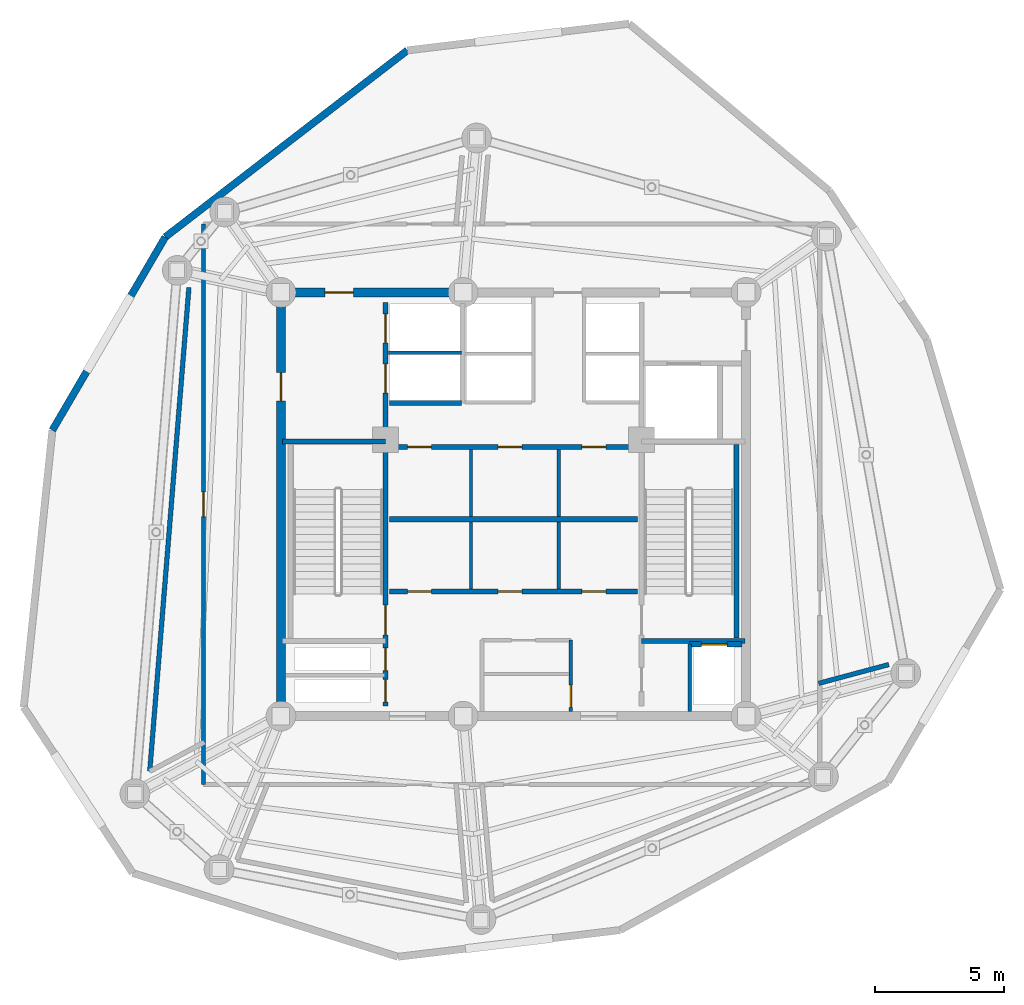
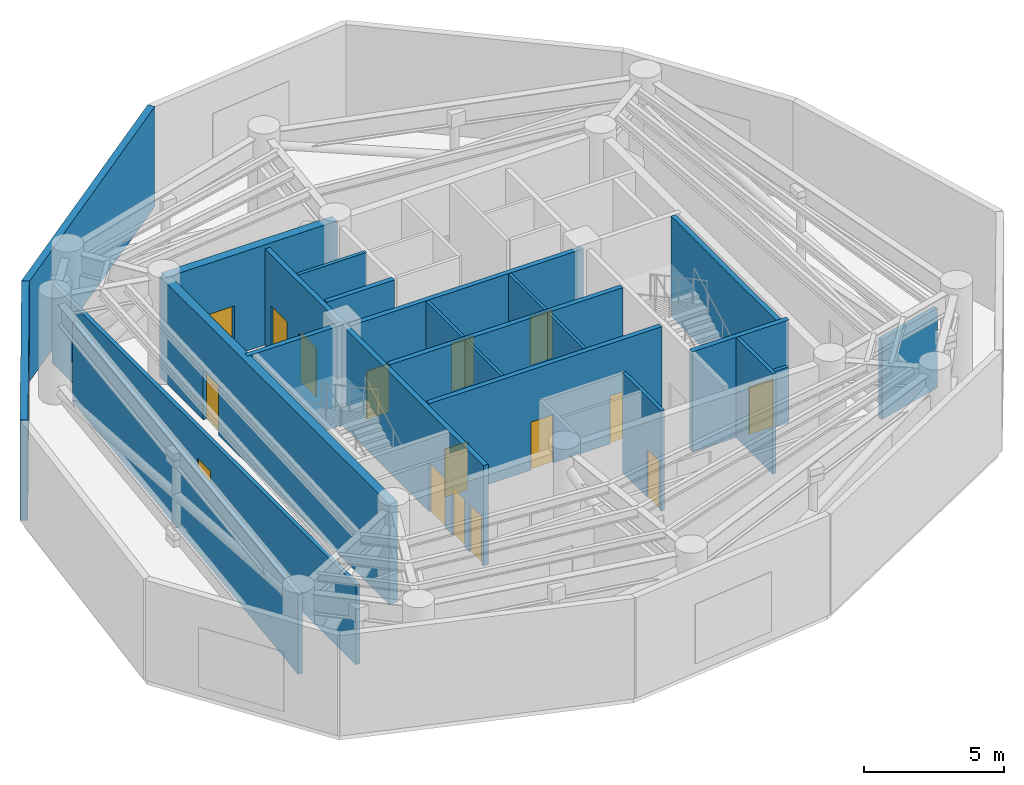
# One storey, part 4 of 8: 23 walls, 16 doors, 16 openings.
"""IFC4 building model written with IfcOpenShell, lengths in metres."""

from ifc_helpers import new_model, si_unit, direction, frame, frame_2d, origin, origin_with_axes, place, context, subcontext, project, spatial, rectangle, extrude, source, transform, mapped, material, layer, layer_set, type_object, element, fill, save


model = new_model("IFC4")

# Units and contexts
model_context = context("Model", 3, precision=1e-05, world=origin(), true_north=direction((0.0, 1.0)))
body_context = subcontext(model_context, "Body", "Model", "MODEL_VIEW")
ifc_project = project(units=[si_unit("LENGTHUNIT", "METRE"), si_unit("AREAUNIT", "SQUARE_METRE"), si_unit("VOLUMEUNIT", "CUBIC_METRE"), si_unit("PLANEANGLEUNIT", "RADIAN"), si_unit("MASSUNIT", "GRAM", prefix="KILO")], contexts=[model_context])

# Site, building, storey
site_placement = place(None, origin())
site = spatial("IfcSite", under=ifc_project, at=site_placement, CompositionType="ELEMENT")
building_placement = place(site_placement, origin())
building = spatial("IfcBuilding", under=site, at=building_placement, Name="Karkom Vertical University and Central Library", CompositionType="ELEMENT")
storey_placement = place(building_placement, frame((0.0, 0.0, 268.75)))
storey = spatial("IfcBuildingStorey", under=building, at=storey_placement, Name="P80", CompositionType="ELEMENT", Elevation=268.75)

# Walls
ifc_material_1 = material(Name="Brick-faced precast concrete C45/55", Category="masonry")
ifc_layer_1 = layer(ifc_material_1, 0.280029296875)
ifc_layer_set_1 = layer_set([ifc_layer_1], Name="Brick-faced precast concrete C45/55")
wall_type_1 = type_object("IfcWallType", Name="ENV-WL-BRK-280", PredefinedType="SOLIDWALL", material=ifc_layer_set_1)
wall_1_placement = place(storey_placement, frame((24.392822265625, 44.071044921875, 0.0), z_axis=(0.0, 0.0, 1.0), x_axis=(-0.79188114586, -0.610675241706, 0.0)))
element("IfcWall", 1, at=wall_1_placement, inside=storey, type_object=wall_type_1, Name="Plant Level 80 Brick-Faced Precast Facade Wall 10", PredefinedType="SOLIDWALL", context=body_context, shape_type="SweptSolid", body=[
    extrude(rectangle(XDim=11.836181640625, YDim=0.280029296875, at=frame_2d((5.91796875, 0.0))), origin(), (0.0, 0.0, 1.0), 4.375),
])
wall_2_placement = place(storey_placement, frame((15.02001953125, 36.843017578125, 0.0), z_axis=(0.0, 0.0, 1.0), x_axis=(-0.504536909081, -0.863390124669, 0.0)))
element("IfcWall", 2, at=wall_2_placement, inside=storey, type_object=wall_type_1, Name="Plant Level 80 Brick-Faced Precast Facade Wall 11", PredefinedType="SOLIDWALL", context=body_context, shape_type="SweptSolid", body=[
    extrude(rectangle(XDim=8.66064453125, YDim=0.280029296875, at=frame_2d((4.330322265625, 0.0))), origin(), (0.0, 0.0, 1.0), 4.375),
])

# Wall, opening, door
ifc_material_2 = material(Name="Insulated metal-stud drywall 160mm", Category="gypsum")
ifc_layer_2 = layer(ifc_material_2, 0.159912109375)
ifc_layer_set_2 = layer_set([ifc_layer_2], Name="Insulated metal-stud drywall 160mm")
wall_type_2 = type_object("IfcWallType", Name="INT-WL-COR-160F", PredefinedType="PARTITIONING", material=ifc_layer_set_2)
wall_3_placement = place(storey_placement, frame((16.5, 15.64990234375, 0.0), z_axis=(0.0, 0.0, 1.0), x_axis=(0.0, 1.0, 0.0)))
wall_3 = element("IfcWall", 3, at=wall_3_placement, inside=storey, type_object=wall_type_2, Name="Plant Level 80 Interior Partition Wall P80-PCORW-CW-002", PredefinedType="PARTITIONING", context=body_context, shape_type="SweptSolid", body=[
    extrude(rectangle(XDim=21.7001953125, YDim=0.159912109375, at=frame_2d((10.85009765625, 0.0))), origin(), (0.0, 0.0, 1.0), 3.47509765625),
])
opening_1_placement = place(wall_3_placement, frame((10.375, 0.0, 0.0)))
opening_1 = element("IfcOpeningElement", 4, at=opening_1_placement, cuts=wall_3, Name="Opening FD-RM1", PredefinedType="OPENING", context=body_context, shape_type="SweptSolid", body=[
    extrude(rectangle(XDim=0.9599609375, YDim=2.14990234375, at=frame_2d((0.47998046875, 1.074951171875))), frame((0.0, 0.08984375, 0.0), z_axis=(0.0, -1.0, 0.0), x_axis=(1.0, 0.0, 0.0)), (0.0, 0.0, 1.0), 0.179931640625),
])
ifc_material_3 = material(Name="Fire-rated oak veneer door", Category="wood")
door_type_1 = type_object("IfcDoorType", Name="INT-DR-FRM1", OperationType="NOTDEFINED", PredefinedType="DOOR", material=ifc_material_3)
shared_shape_1 = source(origin_with_axes(), body_context, "Body", "SweptSolid", [
    extrude(rectangle(XDim=0.9599609375, YDim=2.14990234375, at=frame_2d((0.47998046875, 1.074951171875))), frame((0.0, 0.02490234375, 0.0), z_axis=(0.0, -1.0, 0.0), x_axis=(1.0, 0.0, 0.0)), (0.0, 0.0, 1.0), 0.050048828125),
])
door_1_placement = place(opening_1_placement, origin())
door_1 = element("IfcDoor", 5, at=door_1_placement, inside=storey, type_object=door_type_1, Name="Plant Level 80 Room Entry Door 700", OperationType="SINGLE_SWING_RIGHT", OverallHeight=2.14990234375, OverallWidth=0.9599609375, PredefinedType="DOOR", context=body_context, shape_type="MappedRepresentation", body=[
    mapped(shared_shape_1, transform((0.0, 0.0, 0.0), scale=1.0)),
])
fill(opening_1, door_1)

# Walls
ifc_material_4 = material(Name="Moisture-resistant drywall 120mm", Category="gypsum")
ifc_layer_3 = layer(ifc_material_4, 0.1201171875)
ifc_layer_set_3 = layer_set([ifc_layer_3], Name="Moisture-resistant drywall 120mm")
wall_type_3 = type_object("IfcWallType", Name="INT-WL-INT-120", PredefinedType="PARTITIONING", material=ifc_layer_set_3)
for number, where, z_axis, x_axis, name in (
    (6, (26.85009765625, 23.22705078125, 0.0), (0.0, 0.0, 1.0), (0.0, 1.0, 0.0), "Plant Level 80 Interior Partition Wall P80-CW-B1-K4A"),
    (7, (30.25, 23.22705078125, 0.0), (0.0, 0.0, 1.0), (0.0, 1.0, 0.0), "Plant Level 80 Interior Partition Wall P80-CW-B1-K4B"),
    (8, (26.85009765625, 26.027099609375, 0.0), (0.0, 0.0, 1.0), (0.0, 1.0, 0.0), "Plant Level 80 Interior Partition Wall P80-CW-B2-K4A"),
    (9, (30.25, 26.027099609375, 0.0), (0.0, 0.0, 1.0), (0.0, 1.0, 0.0), "Plant Level 80 Interior Partition Wall P80-CW-B2-K4B"),
):
    element("IfcWall", number, at=place(storey_placement, frame(where, z_axis=z_axis, x_axis=x_axis)), inside=storey, type_object=wall_type_3, Name=name, PredefinedType="PARTITIONING", context=body_context, shape_type="SweptSolid", body=[
        extrude(rectangle(XDim=2.586669921875, YDim=0.1201171875, at=frame_2d((1.29345703125, 0.0))), origin(), (0.0, 0.0, 1.0), 4.375),
    ])

# Wall, opening, door
ifc_material_5 = material(Name="Metal-stud gypsum partition 140mm", Category="gypsum")
ifc_layer_4 = layer(ifc_material_5, 0.139892578125)
ifc_layer_set_4 = layer_set([ifc_layer_4], Name="Metal-stud gypsum partition 140mm")
wall_type_4 = type_object("IfcWallType", Name="INT-WL-SUB-140", PredefinedType="PARTITIONING", material=ifc_layer_set_4)
wall_4_placement = place(storey_placement, frame((30.719970703125, 18.48193359375, 0.0), z_axis=(0.0, 0.0, 1.0), x_axis=(0.0, 1.0, 0.0)))
wall_4 = element("IfcWall", 10, at=wall_4_placement, inside=storey, type_object=wall_type_4, Name="Plant Level 80 Interior Partition Wall P80-CW-KBAY-E", PredefinedType="PARTITIONING", context=body_context, shape_type="SweptSolid", body=[
    extrude(rectangle(XDim=2.758056640625, YDim=0.139892578125, at=frame_2d((1.37890625, 0.0))), origin(), (0.0, 0.0, 1.0), 4.375),
])
opening_2_placement = place(wall_4_placement, frame((0.159912109375, 0.0, 0.0)))
opening_2 = element("IfcOpeningElement", 11, at=opening_2_placement, cuts=wall_4, Name="Opening FD-BTH1", PredefinedType="OPENING", context=body_context, shape_type="SweptSolid", body=[
    extrude(rectangle(XDim=0.860107421875, YDim=2.10009765625, at=frame_2d((0.43017578125, 1.050048828125))), frame((0.0, 0.080078125, 0.0), z_axis=(0.0, -1.0, 0.0), x_axis=(1.0, 0.0, 0.0)), (0.0, 0.0, 1.0), 0.159912109375),
])
ifc_material_6 = material(Name="Fire-rated moisture-resistant oak door", Category="wood")
door_type_2 = type_object("IfcDoorType", Name="INT-DR-FBTH1", OperationType="NOTDEFINED", PredefinedType="DOOR", material=ifc_material_6)
shared_shape_2 = source(origin_with_axes(), body_context, "Body", "SweptSolid", [
    extrude(rectangle(XDim=0.860107421875, YDim=2.10009765625, at=frame_2d((0.43017578125, 1.050048828125))), frame((0.0, 0.02490234375, 0.0), z_axis=(0.0, -1.0, 0.0), x_axis=(1.0, 0.0, 0.0)), (0.0, 0.0, 1.0), 0.050048828125),
])
door_2_placement = place(opening_2_placement, origin())
door_2 = element("IfcDoor", 12, at=door_2_placement, inside=storey, type_object=door_type_2, Name="Plant Level 80 Metering Cupboard Door", OperationType="SINGLE_SWING_LEFT", OverallHeight=2.10009765625, OverallWidth=0.860107421875, PredefinedType="DOOR", context=body_context, shape_type="MappedRepresentation", body=[
    mapped(shared_shape_2, transform((0.0, 0.0, 0.0), scale=1.0)),
])
fill(opening_2, door_2)

# Walls
ifc_layer_5 = layer(ifc_material_5, 0.139892578125)
ifc_layer_set_5 = layer_set([ifc_layer_5], Name="Metal-stud gypsum partition 140mm")
wall_type_5 = type_object("IfcWallType", Name="INT-WL-SUB-140H", PredefinedType="PARTITIONING", material=ifc_layer_set_5)
wall_5_placement = place(storey_placement, frame((35.320068359375, 18.48193359375, 0.0), z_axis=(0.0, 0.0, 1.0), x_axis=(0.0, 1.0, 0.0)))
element("IfcWall", 13, at=wall_5_placement, inside=storey, type_object=wall_type_5, Name="Plant Level 80 Interior Partition Wall P80-CW-RIS-E", PredefinedType="PARTITIONING", context=body_context, shape_type="SweptSolid", body=[
    extrude(rectangle(XDim=2.617431640625, YDim=0.139892578125, at=frame_2d((1.30859375, 0.0))), origin(), (0.0, 0.0, 1.0), 4.375),
])
ifc_layer_6 = layer(ifc_material_5, 0.139892578125)
ifc_layer_set_6 = layer_set([ifc_layer_6], Name="Metal-stud gypsum partition 140mm")
wall_type_6 = type_object("IfcWallType", Name="INT-WL-SUB-140X", PredefinedType="PARTITIONING", material=ifc_layer_set_6)
wall_6_placement = place(storey_placement, frame((23.652099609375, 32.3701171875, 0.0), z_axis=(0.0, 0.0, 1.0), x_axis=(1.0, 0.0, 0.0)))
element("IfcWall", 14, at=wall_6_placement, inside=storey, type_object=wall_type_6, Name="Plant Level 80 Interior Partition Wall P80-CW-FFL-M", PredefinedType="PARTITIONING", context=body_context, shape_type="SweptSolid", body=[
    extrude(rectangle(XDim=2.827880859375, YDim=0.139892578125, at=frame_2d((1.4140625, 0.0))), origin(), (0.0, 0.0, 1.0), 4.375),
])
ifc_material_7 = material(Name="Twin-stud acoustic drywall 180mm", Category="gypsum")
ifc_layer_7 = layer(ifc_material_7, 0.179931640625)
ifc_layer_set_7 = layer_set([ifc_layer_7], Name="Twin-stud acoustic drywall 180mm")
wall_type_7 = type_object("IfcWallType", Name="INT-WL-TEN-180F", PredefinedType="PARTITIONING", material=ifc_layer_set_7)
wall_7_placement = place(storey_placement, frame((14.421142578125, 16.16552734375, 0.0), z_axis=(0.0, 0.0, 1.0), x_axis=(0.080748179949, 0.996734534084, 0.0)))
element("IfcWall", 15, at=wall_7_placement, inside=storey, type_object=wall_type_7, Name="Plant Level 80 Interior Partition Wall P80-PLCHW-002", PredefinedType="PARTITIONING", context=body_context, shape_type="SweptSolid", body=[
    extrude(rectangle(XDim=18.787841796875, YDim=0.179931640625, at=frame_2d((9.39404296875, 0.0))), origin(), (0.0, 0.0, 1.0), 3.47509765625),
])
wall_8_placement = place(storey_placement, frame((43.02197265625, 20.296875, 0.0), z_axis=(0.0, 0.0, 1.0), x_axis=(-0.965934485278, -0.258786727153, 0.0)))
element("IfcWall", 16, at=wall_8_placement, inside=storey, type_object=wall_type_7, Name="Plant Level 80 Interior Partition Wall P80-PLCHW-008", PredefinedType="PARTITIONING", context=body_context, shape_type="SweptSolid", body=[
    extrude(rectangle(XDim=2.811279296875, YDim=0.179931640625, at=frame_2d((1.40576171875, 0.0))), origin(), (0.0, 0.0, 1.0), 3.47509765625),
])

# Wall, opening, door
ifc_material_8 = material(Name="Concrete C45/55", Category="concrete")
ifc_layer_8 = layer(ifc_material_8, 0.219970703125)
ifc_layer_set_8 = layer_set([ifc_layer_8], Name="Concrete C45/55")
wall_type_8 = type_object("IfcWallType", Name="STR-WL-CW-220", PredefinedType="SHEAR", material=ifc_layer_set_8)
wall_9_placement = place(storey_placement, frame((35.320068359375, 21.080078125, 0.0), z_axis=(0.0, 0.0, 1.0), x_axis=(1.0, 0.0, 0.0)))
wall_9 = element("IfcWall", 17, at=wall_9_placement, inside=storey, type_object=wall_type_8, Name="Plant Level 80 Duct Riser Access Wall 4", PredefinedType="SHEAR", context=body_context, shape_type="SweptSolid", body=[
    extrude(rectangle(XDim=2.030029296875, YDim=0.219970703125, at=frame_2d((1.01513671875, 0.0))), origin(), (0.0, 0.0, 1.0), 2.449951171875),
])
opening_3_placement = place(wall_9_placement, frame((0.449951171875, 0.0, 0.0)))
opening_3 = element("IfcOpeningElement", 18, at=opening_3_placement, cuts=wall_9, Name="Opening HD-1", PredefinedType="OPENING", context=body_context, shape_type="SweptSolid", body=[
    extrude(rectangle(XDim=1.0, YDim=2.050048828125, at=frame_2d((0.5, 1.02490234375))), frame((0.0, 0.1201171875, 0.0), z_axis=(0.0, -1.0, 0.0), x_axis=(1.0, 0.0, 0.0)), (0.0, 0.0, 1.0), 0.239990234375),
])
ifc_material_9 = material(Name="Insulated aluminium riser access door", Category="aluminium")
door_type_3 = type_object("IfcDoorType", Name="ENV-DR-HTCH", OperationType="SINGLE_SWING_LEFT", PredefinedType="TRAPDOOR", material=ifc_material_9)
shared_shape_3 = source(origin_with_axes(), body_context, "Body", "SweptSolid", [
    extrude(rectangle(XDim=1.0, YDim=2.050048828125, at=frame_2d((0.5, 1.02490234375))), frame((0.0, 0.02490234375, 0.0), z_axis=(0.0, -1.0, 0.0), x_axis=(1.0, 0.0, 0.0)), (0.0, 0.0, 1.0), 0.050048828125),
])
door_3_placement = place(opening_3_placement, origin())
door_3 = element("IfcDoor", 19, at=door_3_placement, inside=storey, type_object=door_type_3, Name="Plant Level 80 Maintenance Riser Access Hatch Door 4", OperationType="SINGLE_SWING_RIGHT", OverallHeight=2.050048828125, OverallWidth=1.0, PredefinedType="TRAPDOOR", context=body_context, shape_type="MappedRepresentation", body=[
    mapped(shared_shape_3, transform((0.0, 0.0, 0.0), scale=1.0)),
])
fill(opening_3, door_3)

ifc_layer_9 = layer(ifc_material_8, 0.35009765625)
ifc_layer_set_9 = layer_set([ifc_layer_9], Name="Concrete C45/55")
wall_type_9 = type_object("IfcWallType", Name="STR-WL-CW-350", PredefinedType="SHEAR", material=ifc_layer_set_9)
wall_10_placement = place(storey_placement, frame((26.550048828125, 34.699951171875, 0.0), z_axis=(0.0, 0.0, 1.0), x_axis=(-1.0, 0.0, 0.0)))
wall_10 = element("IfcWall", 20, at=wall_10_placement, inside=storey, type_object=wall_type_9, Name="Plant Level 80 Central Core Shear Wall NW2", PredefinedType="SHEAR", context=body_context, shape_type="SweptSolid", body=[
    extrude(rectangle(XDim=7.050048828125, YDim=0.35009765625, at=frame_2d((3.52490234375, 0.0))), origin(), (0.0, 0.0, 1.0), 4.375),
])
opening_4_placement = place(wall_10_placement, frame((4.25, 0.0, 0.0)))
opening_4 = element("IfcOpeningElement", 21, at=opening_4_placement, cuts=wall_10, Name="Opening FD-FFL", PredefinedType="OPENING", context=body_context, shape_type="SweptSolid", body=[
    extrude(rectangle(XDim=1.10009765625, YDim=2.14990234375, at=frame_2d((0.550048828125, 1.074951171875))), frame((0.0, 0.18505859375, 0.0), z_axis=(0.0, -1.0, 0.0), x_axis=(1.0, 0.0, 0.0)), (0.0, 0.0, 1.0), 0.3701171875),
])
ifc_material_10 = material(Name="Painted steel smoke-seal fire door", Category="steel")
door_type_4 = type_object("IfcDoorType", Name="INT-DR-FFL", OperationType="NOTDEFINED", PredefinedType="DOOR", material=ifc_material_10)
shared_shape_4 = source(origin_with_axes(), body_context, "Body", "SweptSolid", [
    extrude(rectangle(XDim=1.10009765625, YDim=2.14990234375, at=frame_2d((0.550048828125, 1.074951171875))), frame((0.0, 0.02490234375, 0.0), z_axis=(0.0, -1.0, 0.0), x_axis=(1.0, 0.0, 0.0)), (0.0, 0.0, 1.0), 0.050048828125),
])
door_4_placement = place(opening_4_placement, origin())
door_4 = element("IfcDoor", 22, at=door_4_placement, inside=storey, type_object=door_type_4, Name="Plant Level 80 Firefighting Lobby Door", OperationType="SINGLE_SWING_RIGHT", OverallHeight=2.14990234375, OverallWidth=1.10009765625, PredefinedType="DOOR", context=body_context, shape_type="MappedRepresentation", body=[
    mapped(shared_shape_4, transform((0.0, 0.0, 0.0), scale=1.0)),
])
fill(opening_4, door_4)

wall_11_placement = place(storey_placement, frame((19.5, 34.699951171875, 0.0), z_axis=(0.0, 0.0, 1.0), x_axis=(0.0, -1.0, 0.0)))
wall_11 = element("IfcWall", 23, at=wall_11_placement, inside=storey, type_object=wall_type_9, Name="Plant Level 80 Central Core Shear Wall WW", PredefinedType="SHEAR", context=body_context, shape_type="SweptSolid", body=[
    extrude(rectangle(XDim=16.39990234375, YDim=0.35009765625, at=frame_2d((8.199951171875, 0.0))), origin(), (0.0, 0.0, 1.0), 4.375),
])
opening_5_placement = place(wall_11_placement, frame((3.10009765625, 0.0, 0.0)))
opening_5 = element("IfcOpeningElement", 24, at=opening_5_placement, cuts=wall_11, Name="Opening FD-FFL", PredefinedType="OPENING", context=body_context, shape_type="SweptSolid", body=[
    extrude(rectangle(XDim=1.10009765625, YDim=2.14990234375, at=frame_2d((0.550048828125, 1.074951171875))), frame((0.0, 0.18505859375, 0.0), z_axis=(0.0, -1.0, 0.0), x_axis=(1.0, 0.0, 0.0)), (0.0, 0.0, 1.0), 0.3701171875),
])
door_5_placement = place(opening_5_placement, origin())
door_5 = element("IfcDoor", 25, at=door_5_placement, inside=storey, type_object=door_type_4, Name="Plant Level 80 West Corridor Firefighting Lobby Door", OperationType="SINGLE_SWING_LEFT", OverallHeight=2.14990234375, OverallWidth=1.10009765625, PredefinedType="DOOR", context=body_context, shape_type="MappedRepresentation", body=[
    mapped(shared_shape_4, transform((0.0, 0.0, 0.0), scale=1.0)),
])
fill(opening_5, door_5)

# Wall, openings, doors
ifc_layer_10 = layer(ifc_material_8, 0.199951171875)
ifc_layer_set_10 = layer_set([ifc_layer_10], Name="Concrete C45/55")
wall_type_10 = type_object("IfcWallType", Name="STR-WL-ST-200", PredefinedType="SHEAR", material=ifc_layer_set_10)
wall_12_placement = place(storey_placement, frame((23.544921875, 18.699951171875, 0.0), z_axis=(0.0, 0.0, 1.0), x_axis=(0.0, 1.0, 0.0)))
wall_12 = element("IfcWall", 26, at=wall_12_placement, inside=storey, type_object=wall_type_10, Name="Plant Level 80 Core Shaft Wall P80-CW-ST1-E", PredefinedType="SHEAR", context=body_context, shape_type="SweptSolid", body=[
    extrude(rectangle(XDim=15.60009765625, YDim=0.199951171875, at=frame_2d((7.800048828125, 0.0))), origin(), (0.0, 0.0, 1.0), 4.375),
])
opening_6_placement = place(wall_12_placement, frame((2.75, 0.0, 0.0)))
opening_6 = element("IfcOpeningElement", 27, at=opening_6_placement, cuts=wall_12, Name="Opening FD-ST1", PredefinedType="OPENING", context=body_context, shape_type="SweptSolid", body=[
    extrude(rectangle(XDim=1.14990234375, YDim=2.14990234375, at=frame_2d((0.574951171875, 1.074951171875))), frame((0.0, 0.10986328125, 0.0), z_axis=(0.0, -1.0, 0.0), x_axis=(1.0, 0.0, 0.0)), (0.0, 0.0, 1.0), 0.219970703125),
])
opening_7_placement = place(wall_12_placement, frame((0.139892578125, 0.0, 0.0)))
opening_7 = element("IfcOpeningElement", 28, at=opening_7_placement, cuts=wall_12, Name="Opening FD-RIS", PredefinedType="OPENING", context=body_context, shape_type="SweptSolid", body=[
    extrude(rectangle(XDim=0.8798828125, YDim=2.10009765625, at=frame_2d((0.43994140625, 1.050048828125))), frame((0.0, 0.10986328125, 0.0), z_axis=(0.0, -1.0, 0.0), x_axis=(1.0, 0.0, 0.0)), (0.0, 0.0, 1.0), 0.219970703125),
])
opening_8_placement = place(wall_12_placement, frame((1.360107421875, 0.0, 0.0)))
opening_8 = element("IfcOpeningElement", 29, at=opening_8_placement, cuts=wall_12, Name="Opening FD-RIS", PredefinedType="OPENING", context=body_context, shape_type="SweptSolid", body=[
    extrude(rectangle(XDim=0.8798828125, YDim=2.10009765625, at=frame_2d((0.43994140625, 1.050048828125))), frame((0.0, 0.10986328125, 0.0), z_axis=(0.0, -1.0, 0.0), x_axis=(1.0, 0.0, 0.0)), (0.0, 0.0, 1.0), 0.219970703125),
])
opening_9_placement = place(wall_12_placement, frame((12.10009765625, 0.0, 0.0)))
opening_9 = element("IfcOpeningElement", 30, at=opening_9_placement, cuts=wall_12, Name="Opening LD-FFL", PredefinedType="OPENING", context=body_context, shape_type="SweptSolid", body=[
    extrude(rectangle(XDim=1.1201171875, YDim=2.14990234375, at=frame_2d((0.56005859375, 1.074951171875))), frame((0.0, 0.10986328125, 0.0), z_axis=(0.0, -1.0, 0.0), x_axis=(1.0, 0.0, 0.0)), (0.0, 0.0, 1.0), 0.219970703125),
])
opening_10_placement = place(wall_12_placement, frame((14.050048828125, 0.0, 0.0)))
opening_10 = element("IfcOpeningElement", 31, at=opening_10_placement, cuts=wall_12, Name="Opening LD-FFL", PredefinedType="OPENING", context=body_context, shape_type="SweptSolid", body=[
    extrude(rectangle(XDim=1.1201171875, YDim=2.14990234375, at=frame_2d((0.56005859375, 1.074951171875))), frame((0.0, 0.10986328125, 0.0), z_axis=(0.0, -1.0, 0.0), x_axis=(1.0, 0.0, 0.0)), (0.0, 0.0, 1.0), 0.219970703125),
])
ifc_material_11 = material(Name="Painted steel acoustic fire door", Category="steel")
door_type_5 = type_object("IfcDoorType", Name="INT-DR-ST1", OperationType="NOTDEFINED", PredefinedType="DOOR", material=ifc_material_11)
shared_shape_5 = source(origin_with_axes(), body_context, "Body", "SweptSolid", [
    extrude(rectangle(XDim=1.14990234375, YDim=2.14990234375, at=frame_2d((0.574951171875, 1.074951171875))), frame((0.0, 0.02490234375, 0.0), z_axis=(0.0, -1.0, 0.0), x_axis=(1.0, 0.0, 0.0)), (0.0, 0.0, 1.0), 0.050048828125),
])
door_6_placement = place(opening_6_placement, origin())
door_6 = element("IfcDoor", 32, at=door_6_placement, inside=storey, type_object=door_type_5, Name="Plant Level 80 Stair ST-1 Fire Door", OperationType="SINGLE_SWING_RIGHT", OverallHeight=2.14990234375, OverallWidth=1.14990234375, PredefinedType="DOOR", context=body_context, shape_type="MappedRepresentation", body=[
    mapped(shared_shape_5, transform((0.0, 0.0, 0.0), scale=1.0)),
])
fill(opening_6, door_6)
ifc_material_12 = material(Name="Painted steel riser access door", Category="steel")
door_type_6 = type_object("IfcDoorType", Name="INT-DR-RIS", OperationType="NOTDEFINED", PredefinedType="DOOR", material=ifc_material_12)
shared_shape_6 = source(origin_with_axes(), body_context, "Body", "SweptSolid", [
    extrude(rectangle(XDim=0.8798828125, YDim=2.10009765625, at=frame_2d((0.43994140625, 1.050048828125))), frame((0.0, 0.02490234375, 0.0), z_axis=(0.0, -1.0, 0.0), x_axis=(1.0, 0.0, 0.0)), (0.0, 0.0, 1.0), 0.050048828125),
])
door_7_placement = place(opening_7_placement, origin())
door_7 = element("IfcDoor", 33, at=door_7_placement, inside=storey, type_object=door_type_6, Name="Plant Level 80 Electrical Riser Access Door", OperationType="SINGLE_SWING_RIGHT", OverallHeight=2.10009765625, OverallWidth=0.8798828125, PredefinedType="DOOR", context=body_context, shape_type="MappedRepresentation", body=[
    mapped(shared_shape_6, transform((0.0, 0.0, 0.0), scale=1.0)),
])
fill(opening_7, door_7)
door_8_placement = place(opening_8_placement, origin())
door_8 = element("IfcDoor", 34, at=door_8_placement, inside=storey, type_object=door_type_6, Name="Plant Level 80 Telecom Riser Access Door", OperationType="SINGLE_SWING_LEFT", OverallHeight=2.10009765625, OverallWidth=0.8798828125, PredefinedType="DOOR", context=body_context, shape_type="MappedRepresentation", body=[
    mapped(shared_shape_6, transform((0.0, 0.0, 0.0), scale=1.0)),
])
fill(opening_8, door_8)
ifc_material_13 = material(Name="Fire-rated stainless-steel landing door", Category="steel")
door_type_7 = type_object("IfcDoorType", Name="INT-DR-LD-FFL", OperationType="SLIDING_TO_LEFT", PredefinedType="DOOR", material=ifc_material_13)
shared_shape_7 = source(origin_with_axes(), body_context, "Body", "SweptSolid", [
    extrude(rectangle(XDim=1.1201171875, YDim=2.14990234375, at=frame_2d((0.56005859375, 1.074951171875))), frame((0.0, 0.02490234375, 0.0), z_axis=(0.0, -1.0, 0.0), x_axis=(1.0, 0.0, 0.0)), (0.0, 0.0, 1.0), 0.050048828125),
])
door_9_placement = place(opening_9_placement, origin())
door_9 = element("IfcDoor", 35, at=door_9_placement, inside=storey, type_object=door_type_7, Name="Plant Level 80 Firefighting Lift FFL-1 Landing Door", OperationType="SLIDING_TO_LEFT", OverallHeight=2.14990234375, OverallWidth=1.1201171875, PredefinedType="DOOR", context=body_context, shape_type="MappedRepresentation", body=[
    mapped(shared_shape_7, transform((0.0, 0.0, 0.0), scale=1.0)),
])
fill(opening_9, door_9)
door_10_placement = place(opening_10_placement, origin())
door_10 = element("IfcDoor", 36, at=door_10_placement, inside=storey, type_object=door_type_7, Name="Plant Level 80 Firefighting Lift FFL-2 Landing Door", OperationType="SLIDING_TO_RIGHT", OverallHeight=2.14990234375, OverallWidth=1.1201171875, PredefinedType="DOOR", context=body_context, shape_type="MappedRepresentation", body=[
    mapped(shared_shape_7, transform((0.0, 0.0, 0.0), scale=1.0)),
])
fill(opening_10, door_10)

wall_13_placement = place(storey_placement, frame((23.699951171875, 23.1201171875, 0.0), z_axis=(0.0, 0.0, 1.0), x_axis=(1.0, 0.0, 0.0)))
wall_13 = element("IfcWall", 37, at=wall_13_placement, inside=storey, type_object=wall_type_10, Name="Plant Level 80 Core Shaft Wall P80-CW-B1-S", PredefinedType="SHEAR", context=body_context, shape_type="SweptSolid", body=[
    extrude(rectangle(XDim=9.60009765625, YDim=0.199951171875, at=frame_2d((4.800048828125, 0.0))), origin(), (0.0, 0.0, 1.0), 4.375),
])
opening_11_placement = place(wall_13_placement, frame((0.699951171875, 0.0, 0.0)))
opening_11 = element("IfcOpeningElement", 38, at=opening_11_placement, cuts=wall_13, Name="Opening D-SVC1", PredefinedType="OPENING", context=body_context, shape_type="SweptSolid", body=[
    extrude(rectangle(XDim=0.919921875, YDim=2.10009765625, at=frame_2d((0.4599609375, 1.050048828125))), frame((0.0, 0.10986328125, 0.0), z_axis=(0.0, -1.0, 0.0), x_axis=(1.0, 0.0, 0.0)), (0.0, 0.0, 1.0), 0.219970703125),
])
opening_12_placement = place(wall_13_placement, frame((4.199951171875, 0.0, 0.0)))
opening_12 = element("IfcOpeningElement", 39, at=opening_12_placement, cuts=wall_13, Name="Opening D-SVC1", PredefinedType="OPENING", context=body_context, shape_type="SweptSolid", body=[
    extrude(rectangle(XDim=0.919921875, YDim=2.10009765625, at=frame_2d((0.4599609375, 1.050048828125))), frame((0.0, 0.10986328125, 0.0), z_axis=(0.0, -1.0, 0.0), x_axis=(1.0, 0.0, 0.0)), (0.0, 0.0, 1.0), 0.219970703125),
])
opening_13_placement = place(wall_13_placement, frame((7.449951171875, 0.0, 0.0)))
opening_13 = element("IfcOpeningElement", 40, at=opening_13_placement, cuts=wall_13, Name="Opening D-SVC1", PredefinedType="OPENING", context=body_context, shape_type="SweptSolid", body=[
    extrude(rectangle(XDim=0.919921875, YDim=2.10009765625, at=frame_2d((0.4599609375, 1.050048828125))), frame((0.0, 0.10986328125, 0.0), z_axis=(0.0, -1.0, 0.0), x_axis=(1.0, 0.0, 0.0)), (0.0, 0.0, 1.0), 0.219970703125),
])
ifc_material_14 = material(Name="Painted timber service door", Category="wood")
door_type_8 = type_object("IfcDoorType", Name="INT-DR-SVC1", OperationType="NOTDEFINED", PredefinedType="DOOR", material=ifc_material_14)
shared_shape_8 = source(origin_with_axes(), body_context, "Body", "SweptSolid", [
    extrude(rectangle(XDim=0.919921875, YDim=2.10009765625, at=frame_2d((0.4599609375, 1.050048828125))), frame((0.0, 0.02490234375, 0.0), z_axis=(0.0, -1.0, 0.0), x_axis=(1.0, 0.0, 0.0)), (0.0, 0.0, 1.0), 0.050048828125),
])
door_11_placement = place(opening_11_placement, origin())
door_11 = element("IfcDoor", 41, at=door_11_placement, inside=storey, type_object=door_type_8, Name="Plant Level 80 B1 Store A Door", OperationType="SINGLE_SWING_LEFT", OverallHeight=2.10009765625, OverallWidth=0.919921875, PredefinedType="DOOR", context=body_context, shape_type="MappedRepresentation", body=[
    mapped(shared_shape_8, transform((0.0, 0.0, 0.0), scale=1.0)),
])
fill(opening_11, door_11)
door_12_placement = place(opening_12_placement, origin())
door_12 = element("IfcDoor", 42, at=door_12_placement, inside=storey, type_object=door_type_8, Name="Plant Level 80 B1 Comms Door", OperationType="SINGLE_SWING_RIGHT", OverallHeight=2.10009765625, OverallWidth=0.919921875, PredefinedType="DOOR", context=body_context, shape_type="MappedRepresentation", body=[
    mapped(shared_shape_8, transform((0.0, 0.0, 0.0), scale=1.0)),
])
fill(opening_12, door_12)
door_13_placement = place(opening_13_placement, origin())
door_13 = element("IfcDoor", 43, at=door_13_placement, inside=storey, type_object=door_type_8, Name="Plant Level 80 B1 Store C Door", OperationType="SINGLE_SWING_LEFT", OverallHeight=2.10009765625, OverallWidth=0.919921875, PredefinedType="DOOR", context=body_context, shape_type="MappedRepresentation", body=[
    mapped(shared_shape_8, transform((0.0, 0.0, 0.0), scale=1.0)),
])
fill(opening_13, door_13)

# Wall
wall_14_placement = place(storey_placement, frame((23.699951171875, 25.919921875, 0.0), z_axis=(0.0, 0.0, 1.0), x_axis=(1.0, 0.0, 0.0)))
element("IfcWall", 44, at=wall_14_placement, inside=storey, type_object=wall_type_10, Name="Plant Level 80 Core Shaft Wall P80-CW-B1-N", PredefinedType="SHEAR", context=body_context, shape_type="SweptSolid", body=[
    extrude(rectangle(XDim=9.60009765625, YDim=0.199951171875, at=frame_2d((4.800048828125, 0.0))), origin(), (0.0, 0.0, 1.0), 4.375),
])

# Wall, openings, doors
wall_15_placement = place(storey_placement, frame((23.699951171875, 28.719970703125, 0.0), z_axis=(0.0, 0.0, 1.0), x_axis=(1.0, 0.0, 0.0)))
wall_15 = element("IfcWall", 45, at=wall_15_placement, inside=storey, type_object=wall_type_10, Name="Plant Level 80 Core Shaft Wall P80-CW-B2-N", PredefinedType="SHEAR", context=body_context, shape_type="SweptSolid", body=[
    extrude(rectangle(XDim=9.60009765625, YDim=0.199951171875, at=frame_2d((4.800048828125, 0.0))), origin(), (0.0, 0.0, 1.0), 4.375),
])
opening_14_placement = place(wall_15_placement, frame((0.699951171875, 0.0, 0.0)))
opening_14 = element("IfcOpeningElement", 46, at=opening_14_placement, cuts=wall_15, Name="Opening D-SVC1", PredefinedType="OPENING", context=body_context, shape_type="SweptSolid", body=[
    extrude(rectangle(XDim=0.919921875, YDim=2.10009765625, at=frame_2d((0.4599609375, 1.050048828125))), frame((0.0, 0.10986328125, 0.0), z_axis=(0.0, -1.0, 0.0), x_axis=(1.0, 0.0, 0.0)), (0.0, 0.0, 1.0), 0.219970703125),
])
opening_15_placement = place(wall_15_placement, frame((4.199951171875, 0.0, 0.0)))
opening_15 = element("IfcOpeningElement", 47, at=opening_15_placement, cuts=wall_15, Name="Opening D-SVC1", PredefinedType="OPENING", context=body_context, shape_type="SweptSolid", body=[
    extrude(rectangle(XDim=0.919921875, YDim=2.10009765625, at=frame_2d((0.4599609375, 1.050048828125))), frame((0.0, 0.10986328125, 0.0), z_axis=(0.0, -1.0, 0.0), x_axis=(1.0, 0.0, 0.0)), (0.0, 0.0, 1.0), 0.219970703125),
])
opening_16_placement = place(wall_15_placement, frame((7.449951171875, 0.0, 0.0)))
opening_16 = element("IfcOpeningElement", 48, at=opening_16_placement, cuts=wall_15, Name="Opening D-SVC1", PredefinedType="OPENING", context=body_context, shape_type="SweptSolid", body=[
    extrude(rectangle(XDim=0.919921875, YDim=2.10009765625, at=frame_2d((0.4599609375, 1.050048828125))), frame((0.0, 0.10986328125, 0.0), z_axis=(0.0, -1.0, 0.0), x_axis=(1.0, 0.0, 0.0)), (0.0, 0.0, 1.0), 0.219970703125),
])
door_14_placement = place(opening_14_placement, origin())
door_14 = element("IfcDoor", 49, at=door_14_placement, inside=storey, type_object=door_type_8, Name="Plant Level 80 B2 Store A Door", OperationType="SINGLE_SWING_RIGHT", OverallHeight=2.10009765625, OverallWidth=0.919921875, PredefinedType="DOOR", context=body_context, shape_type="MappedRepresentation", body=[
    mapped(shared_shape_8, transform((0.0, 0.0, 0.0), scale=1.0)),
])
fill(opening_14, door_14)
door_15_placement = place(opening_15_placement, origin())
door_15 = element("IfcDoor", 50, at=door_15_placement, inside=storey, type_object=door_type_8, Name="Plant Level 80 B2 Comms Door", OperationType="SINGLE_SWING_LEFT", OverallHeight=2.10009765625, OverallWidth=0.919921875, PredefinedType="DOOR", context=body_context, shape_type="MappedRepresentation", body=[
    mapped(shared_shape_8, transform((0.0, 0.0, 0.0), scale=1.0)),
])
fill(opening_15, door_15)
door_16_placement = place(opening_16_placement, origin())
door_16 = element("IfcDoor", 51, at=door_16_placement, inside=storey, type_object=door_type_8, Name="Plant Level 80 B2 Store C Door", OperationType="SINGLE_SWING_RIGHT", OverallHeight=2.10009765625, OverallWidth=0.919921875, PredefinedType="DOOR", context=body_context, shape_type="MappedRepresentation", body=[
    mapped(shared_shape_8, transform((0.0, 0.0, 0.0), scale=1.0)),
])
fill(opening_16, door_16)

# Walls
wall_16_placement = place(storey_placement, frame((37.125, 21.320068359375, 0.0), z_axis=(0.0, 0.0, 1.0), x_axis=(0.0, 1.0, 0.0)))
element("IfcWall", 52, at=wall_16_placement, inside=storey, type_object=wall_type_10, Name="Plant Level 80 Core Shaft Wall P80-CW-ST2-E", PredefinedType="SHEAR", context=body_context, shape_type="SweptSolid", body=[
    extrude(rectangle(XDim=7.5, YDim=0.199951171875, at=frame_2d((3.75, 0.0))), origin(), (0.0, 0.0, 1.0), 4.375),
])
for number, where, z_axis, x_axis, name in (
    (53, (33.455078125, 21.215087890625, 0.0), (0.0, 0.0, 1.0), (1.0, 0.0, 0.0), "Plant Level 80 Core Shaft Wall P80-CW-ST2-S"),
    (54, (19.550048828125, 28.925048828125, 0.0), (0.0, 0.0, 1.0), (1.0, 0.0, 0.0), "Plant Level 80 Core Shaft Wall P80-CW-ST1-N"),
):
    element("IfcWall", number, at=place(storey_placement, frame(where, z_axis=z_axis, x_axis=x_axis)), inside=storey, type_object=wall_type_10, Name=name, PredefinedType="SHEAR", context=body_context, shape_type="SweptSolid", body=[
        extrude(rectangle(XDim=3.994873046875, YDim=0.199951171875, at=frame_2d((1.99755859375, 0.0))), origin(), (0.0, 0.0, 1.0), 4.375),
    ])
wall_17_placement = place(storey_placement, frame((23.699951171875, 30.419921875, 0.0), z_axis=(0.0, 0.0, 1.0), x_axis=(1.0, 0.0, 0.0)))
element("IfcWall", 55, at=wall_17_placement, inside=storey, type_object=wall_type_10, Name="Plant Level 80 Core Shaft Wall P80-CW-FFL-S", PredefinedType="SHEAR", context=body_context, shape_type="SweptSolid", body=[
    extrude(rectangle(XDim=2.780029296875, YDim=0.199951171875, at=frame_2d((1.39013671875, 0.0))), origin(), (0.0, 0.0, 1.0), 4.375),
])

save(model, "model.ifc")
